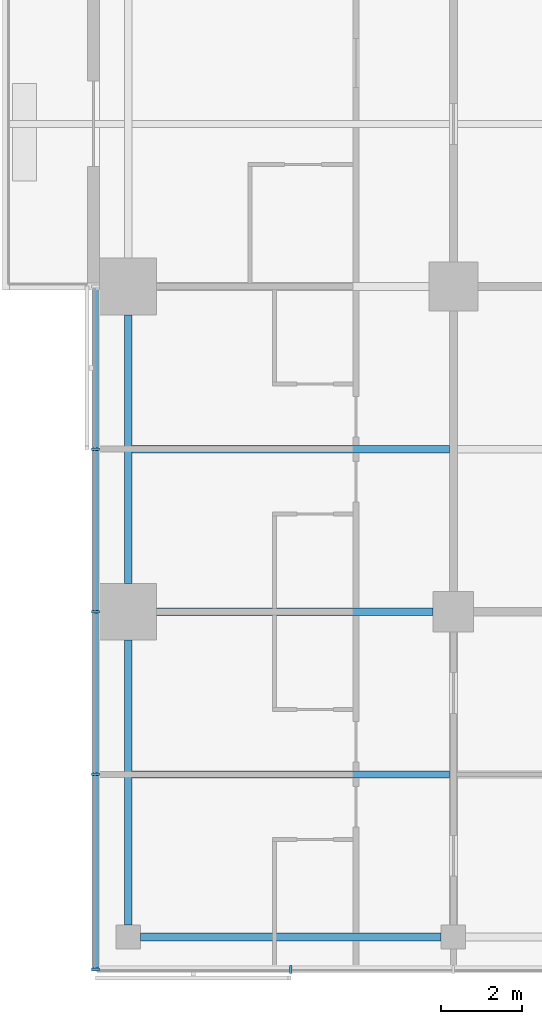
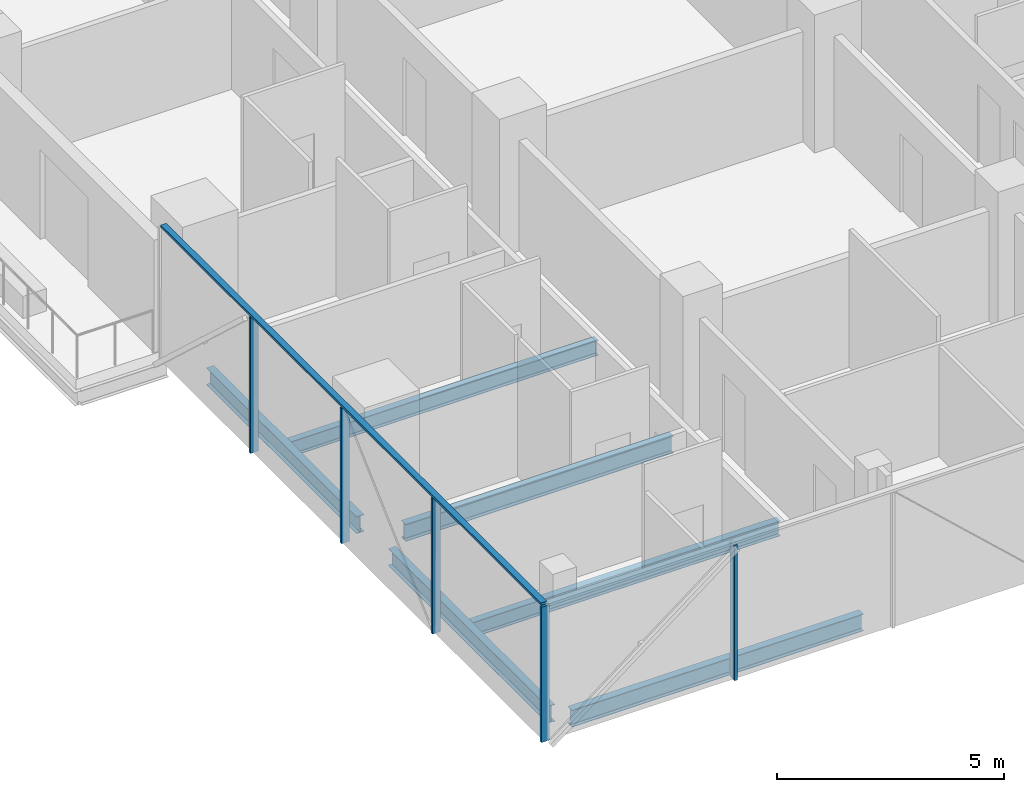
# One storey, part 2 of 29: 6 beams, 6 members, 2 elements without a shape of their own.
"""IFC4 building model written with IfcOpenShell, lengths in metres."""

from ifc_helpers import new_model, si_unit, direction, frame, origin, origin_2d, place, context, subcontext, project, spatial, rectangle, i_section, extrude, material, material_profile, profile_set, type_object, element, aggregate, save


model = new_model("IFC4")

# Units and contexts
model_context = context("Model", 3, precision=1e-05, world=origin(), true_north=direction((0.0, 1.0)))
body_context = subcontext(model_context, "Body", "Model", "MODEL_VIEW")
ifc_project = project(units=[si_unit("LENGTHUNIT", "METRE"), si_unit("AREAUNIT", "SQUARE_METRE"), si_unit("VOLUMEUNIT", "CUBIC_METRE"), si_unit("PLANEANGLEUNIT", "RADIAN"), si_unit("MASSUNIT", "GRAM", prefix="KILO")], contexts=[model_context])

# Site, building, storey
site_placement = place(None, origin())
site = spatial("IfcSite", under=ifc_project, at=site_placement, CompositionType="ELEMENT")
building_placement = place(site_placement, origin())
building = spatial("IfcBuilding", under=site, at=building_placement, Name="Crosswind Convention Tower", CompositionType="ELEMENT")
storey_placement = place(building_placement, frame((0.0, 0.0, 60.89990234375)))
storey = spatial("IfcBuildingStorey", under=building, at=storey_placement, Name="L09", CompositionType="ELEMENT", Elevation=60.89990234375)

# Beams
ifc_material_1 = material(Name="Steel S355", Category="steel")
ifc_material_profile_1 = material_profile(ifc_material_1, i_section(OverallWidth=0.1904296875, OverallDepth=0.457275390625, WebThickness=0.009033203125, FlangeThickness=0.014404296875, FilletRadius=0.01025390625, at=origin_2d()), Name="UB 457x191x75")
ifc_profile_set_1 = profile_set([ifc_material_profile_1], Name="Steel S355")
beam_type_1 = type_object("IfcBeamType", Name="Edge beam UB 457x191x75", PredefinedType="SPANDREL", material=ifc_profile_set_1)
beam_1_placement = place(storey_placement, frame((113.0, 64.300048828125, -0.508544921875), z_axis=(0.0, 1.0, 0.0), x_axis=(-1.0, 0.0, 0.0)))
element("IfcBeam", 1, at=beam_1_placement, inside=storey, type_object=beam_type_1, Name="B17 L09 edge beam 6", PredefinedType="SPANDREL", context=body_context, shape_type="SweptSolid", body=[
    extrude(i_section(OverallWidth=0.1904296875, OverallDepth=0.457275390625, WebThickness=0.009033203125, FlangeThickness=0.014404296875, FilletRadius=0.01025390625, at=origin_2d()), origin(), (0.0, 0.0, 1.0), 7.0),
])
beam_2_placement = place(storey_placement, frame((113.0, 72.699951171875, -0.508544921875), z_axis=(0.0, 1.0, 0.0), x_axis=(-1.0, 0.0, 0.0)))
element("IfcBeam", 2, at=beam_2_placement, inside=storey, type_object=beam_type_1, Name="B17 L09 edge beam 7", PredefinedType="SPANDREL", context=body_context, shape_type="SweptSolid", body=[
    extrude(i_section(OverallWidth=0.1904296875, OverallDepth=0.457275390625, WebThickness=0.009033203125, FlangeThickness=0.014404296875, FilletRadius=0.01025390625, at=origin_2d()), origin(), (0.0, 0.0, 1.0), 6.60009765625),
])
beam_3_placement = place(storey_placement, frame((113.300048828125, 64.0, -0.508544921875), z_axis=(1.0, 0.0, 0.0), x_axis=(0.0, 1.0, 0.0)))
element("IfcBeam", 3, at=beam_3_placement, inside=storey, type_object=beam_type_1, Name="B17 L09 edge beam 12", PredefinedType="SPANDREL", context=body_context, shape_type="SweptSolid", body=[
    extrude(i_section(OverallWidth=0.1904296875, OverallDepth=0.457275390625, WebThickness=0.009033203125, FlangeThickness=0.014404296875, FilletRadius=0.01025390625, at=origin_2d()), origin(), (0.0, 0.0, 1.0), 7.39990234375),
])
ifc_material_profile_2 = material_profile(ifc_material_1, i_section(OverallWidth=0.19140625, OverallDepth=0.460205078125, WebThickness=0.010009765625, FlangeThickness=0.01611328125, FilletRadius=0.01025390625, at=origin_2d()), Name="UB 457x191x82")
ifc_profile_set_2 = profile_set([ifc_material_profile_2], Name="Steel S355")
beam_type_2 = type_object("IfcBeamType", Name="Girder UB 457x191x82", PredefinedType="BEAM", material=ifc_profile_set_2)
beam_4_placement = place(storey_placement, frame((113.699951171875, 72.0, -0.510009765625), z_axis=(1.0, 0.0, 0.0), x_axis=(0.0, 1.0, 0.0)))
element("IfcBeam", 4, at=beam_4_placement, inside=storey, type_object=beam_type_2, Name="B3 L09 girder 1", PredefinedType="BEAM", context=body_context, shape_type="SweptSolid", body=[
    extrude(i_section(OverallWidth=0.19140625, OverallDepth=0.460205078125, WebThickness=0.010009765625, FlangeThickness=0.01611328125, FilletRadius=0.01025390625, at=origin_2d()), origin(), (0.0, 0.0, 1.0), 6.800048828125),
])

# Curtain wall, members
ifc_material_2 = material(Name="Aluminium unitised curtain wall", Category="aluminium")
curtain_wall_type = type_object("IfcCurtainWallType", Name="HOTEL UNITISED WALL 200", PredefinedType="USERDEFINED", material=ifc_material_2)
curtain_wall_1_placement = place(storey_placement, origin())
curtain_wall_1 = element("IfcCurtainWall", 5, at=curtain_wall_1_placement, inside=storey, type_object=curtain_wall_type, Name="CW2 L09 S-W 1", ObjectType="UNITISED", PredefinedType="USERDEFINED")
ifc_material_3 = material(Name="Aluminium mullion", Category="aluminium")
ifc_material_profile_3 = material_profile(ifc_material_3, rectangle(XDim=0.199951171875, YDim=0.06494140625, at=origin_2d()), Name="AL 200X65")
ifc_profile_set_3 = profile_set([ifc_material_profile_3], Name="Aluminium mullion")
member_type_1 = type_object("IfcMemberType", Name="MULLION 65X200", PredefinedType="MULLION", material=ifc_profile_set_3)
member_1_placement = place(storey_placement, frame((112.199951171875, 76.0, -0.27978515625), z_axis=(0.0, 0.0, 1.0), x_axis=(-1.0, 0.0, 0.0)))
member_1 = element("IfcMember", 6, at=member_1_placement, type_object=member_type_1, Name="CW2 mullion 2", PredefinedType="MULLION", context=body_context, shape_type="SweptSolid", body=[
    extrude(rectangle(XDim=0.199951171875, YDim=0.06494140625, at=origin_2d()), origin(), (0.0, 0.0, 1.0), 3.634765625),
])
member_2_placement = place(storey_placement, frame((112.199951171875, 72.0, -0.27978515625), z_axis=(0.0, 0.0, 1.0), x_axis=(-1.0, 0.0, 0.0)))
member_2 = element("IfcMember", 7, at=member_2_placement, type_object=member_type_1, Name="CW2 mullion 3", PredefinedType="MULLION", context=body_context, shape_type="SweptSolid", body=[
    extrude(rectangle(XDim=0.199951171875, YDim=0.06494140625, at=origin_2d()), origin(), (0.0, 0.0, 1.0), 3.634765625),
])
member_3_placement = place(storey_placement, frame((112.199951171875, 68.0, -0.27978515625), z_axis=(0.0, 0.0, 1.0), x_axis=(-1.0, 0.0, 0.0)))
member_3 = element("IfcMember", 8, at=member_3_placement, type_object=member_type_1, Name="CW2 mullion 4", PredefinedType="MULLION", context=body_context, shape_type="SweptSolid", body=[
    extrude(rectangle(XDim=0.199951171875, YDim=0.06494140625, at=origin_2d()), origin(), (0.0, 0.0, 1.0), 3.634765625),
])
member_4_placement = place(storey_placement, frame((112.199951171875, 63.199951171875, -0.27978515625), z_axis=(0.0, 0.0, 1.0), x_axis=(-1.0, 0.0, 0.0)))
member_4 = element("IfcMember", 9, at=member_4_placement, type_object=member_type_1, Name="CW2 mullion 5", PredefinedType="MULLION", context=body_context, shape_type="SweptSolid", body=[
    extrude(rectangle(XDim=0.199951171875, YDim=0.06494140625, at=origin_2d()), origin(), (0.0, 0.0, 1.0), 3.634765625),
])

# Curtain wall, member
curtain_wall_2_placement = place(storey_placement, origin())
curtain_wall_2 = element("IfcCurtainWall", 10, at=curtain_wall_2_placement, inside=storey, type_object=curtain_wall_type, Name="CW2 L09 S-TIP 1", ObjectType="UNITISED", PredefinedType="USERDEFINED")
member_5_placement = place(storey_placement, frame((117.0, 63.199951171875, -0.27978515625), z_axis=(0.0, 0.0, 1.0), x_axis=(0.0, -1.0, 0.0)))
member_5 = element("IfcMember", 11, at=member_5_placement, type_object=member_type_1, Name="CW2 mullion 2", PredefinedType="MULLION", context=body_context, shape_type="SweptSolid", body=[
    extrude(rectangle(XDim=0.199951171875, YDim=0.06494140625, at=origin_2d()), origin(), (0.0, 0.0, 1.0), 3.634765625),
])
aggregate(curtain_wall_2, [member_5])

# Beams
ifc_material_profile_4 = material_profile(ifc_material_1, i_section(OverallWidth=0.177734375, OverallDepth=0.406494140625, WebThickness=0.0078125, FlangeThickness=0.0126953125, FilletRadius=0.01025390625, at=origin_2d()), Name="UB 406x178x60")
ifc_profile_set_4 = profile_set([ifc_material_profile_4], Name="Steel S355")
beam_type_3 = type_object("IfcBeamType", Name="Secondary beam UB 406x178x60", PredefinedType="JOIST", material=ifc_profile_set_4)
for number, where, z_axis, x_axis, name in (
    (12, (113.09521484375, 68.0, -0.483154296875), (1.0, 0.0, 0.0), (0.0, 1.0, 0.0), "B10 L09 secondary beam 7"),
    (13, (113.09521484375, 76.0, -0.483154296875), (1.0, 0.0, 0.0), (0.0, 1.0, 0.0), "B10 L09 secondary beam 8"),
):
    element("IfcBeam", number, at=place(storey_placement, frame(where, z_axis=z_axis, x_axis=x_axis)), inside=storey, type_object=beam_type_3, Name=name, PredefinedType="JOIST", context=body_context, shape_type="SweptSolid", body=[
        extrude(i_section(OverallWidth=0.177734375, OverallDepth=0.406494140625, WebThickness=0.0078125, FlangeThickness=0.0126953125, FilletRadius=0.01025390625, at=origin_2d()), origin(), (0.0, 0.0, 1.0), 7.80908203125),
    ])

# Member
ifc_material_4 = material(Name="Aluminium transom", Category="aluminium")
ifc_material_profile_5 = material_profile(ifc_material_4, rectangle(XDim=0.14990234375, YDim=0.06494140625, at=origin_2d()), Name="AL 150X65")
ifc_profile_set_5 = profile_set([ifc_material_profile_5], Name="Aluminium transom")
member_type_2 = type_object("IfcMemberType", Name="TRANSOM 65X150", PredefinedType="USERDEFINED", material=ifc_profile_set_5)
member_6_placement = place(storey_placement, frame((112.199951171875, 79.967529296875, 3.3876953125), z_axis=(0.0, -1.0, 0.0), x_axis=(1.0, 0.0, 0.0)))
member_6 = element("IfcMember", 14, at=member_6_placement, type_object=member_type_2, Name="CW2 transom", ObjectType="TRANSOM", PredefinedType="USERDEFINED", context=body_context, shape_type="SweptSolid", body=[
    extrude(rectangle(XDim=0.14990234375, YDim=0.06494140625, at=origin_2d()), origin(), (0.0, 0.0, 1.0), 16.735107421875),
])

aggregate(curtain_wall_1, [member_1, member_2, member_3, member_4, member_6])

save(model, "model.ifc")
